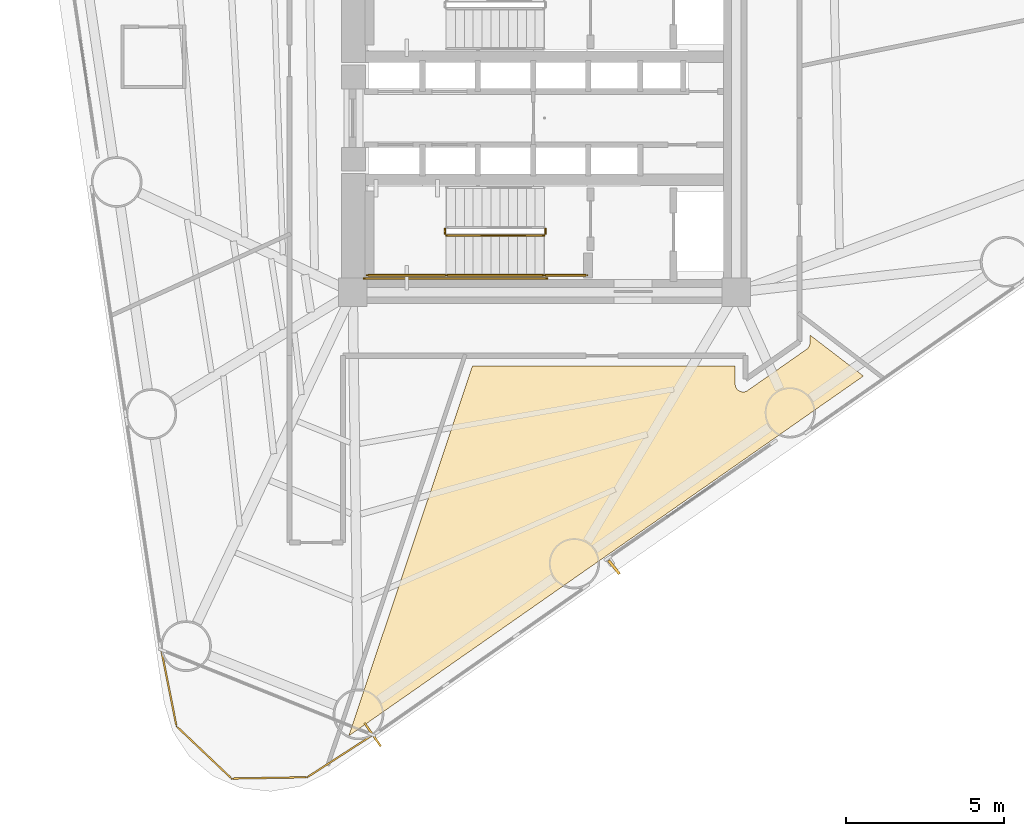
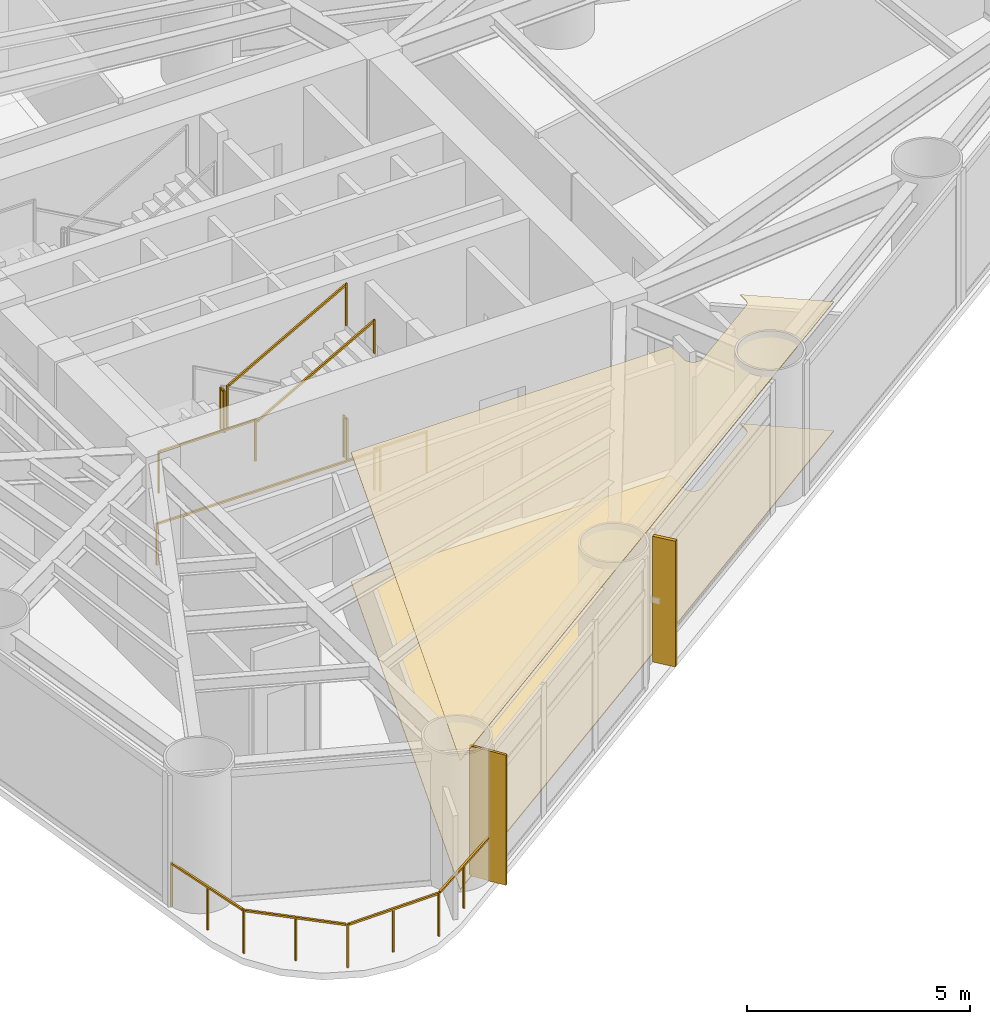
# One storey, part 8 of 11: 8 railings, 3 coverings, 1 shading device.
"""IFC4 building model written with IfcOpenShell, lengths in metres."""

from ifc_helpers import new_model, si_unit, direction, frame, origin, origin_2d, place, context, subcontext, project, spatial, polyline, rectangle, outline, extrude, source, transform, mapped, material, layer, layer_set, material_profile, profile_set, type_object, element, save


model = new_model("IFC4")

# Units and contexts
model_context = context("Model", 3, precision=1e-05, world=origin(), true_north=direction((0.0, 1.0)))
body_context = subcontext(model_context, "Body", "Model", "MODEL_VIEW")
ifc_project = project(units=[si_unit("LENGTHUNIT", "METRE"), si_unit("AREAUNIT", "SQUARE_METRE"), si_unit("VOLUMEUNIT", "CUBIC_METRE"), si_unit("PLANEANGLEUNIT", "RADIAN"), si_unit("MASSUNIT", "GRAM", prefix="KILO")], contexts=[model_context])

# Site, building, storey
site_placement = place(None, origin())
site = spatial("IfcSite", under=ifc_project, at=site_placement, CompositionType="ELEMENT")
building_placement = place(site_placement, origin())
building = spatial("IfcBuilding", under=site, at=building_placement, Name="Yunling Apex Tower", CompositionType="ELEMENT")
storey_placement = place(building_placement, frame((0.0, 0.0, 54.800048828125)))
storey = spatial("IfcBuildingStorey", under=building, at=storey_placement, Name="L14", CompositionType="ELEMENT", Elevation=54.800048828125)

# Coverings
ifc_material_1 = material(Name="Acoustic mineral fibre ceiling")
ifc_layer_1 = layer(ifc_material_1, 0.02490234375)
ifc_layer_set_1 = layer_set([ifc_layer_1], Name="Acoustic mineral fibre ceiling")
covering_type_1 = type_object("IfcCoveringType", Name="CV-CLG-1", PredefinedType="CEILING", material=ifc_layer_set_1)
covering_1_placement = place(storey_placement, frame((0.0, 0.0, 3.5400390625)))
element("IfcCovering", 1, at=covering_1_placement, inside=storey, type_object=covering_type_1, Name="CV-CL-SP-L14-R02", PredefinedType="CEILING", context=body_context, shape_type="SweptSolid", body=[
    extrude(outline(polyline([(10.067626953125, -8.14111328125), (-6.176025390625, -19.498291015625), (-2.27197265625, -7.830078125), (6.02001953125, -7.830078125), (6.02001953125, -8.396484375), (6.020751953125, -8.41748046875), (6.02490234375, -8.4423828125), (6.0302734375, -8.46435546875), (6.03955078125, -8.49072265625), (6.05126953125, -8.513916015625), (6.0615234375, -8.53076171875), (6.07666015625, -8.552001953125), (6.09716796875, -8.573486328125), (6.113037109375, -8.58740234375), (6.130615234375, -8.6005859375), (6.154541015625, -8.61474609375), (6.177978515625, -8.625244140625), (6.198974609375, -8.632568359375), (6.22314453125, -8.638427734375), (6.249267578125, -8.64208984375), (6.2744140625, -8.642822265625), (6.299072265625, -8.64111328125), (6.324951171875, -8.636962890625), (6.346435546875, -8.630615234375), (6.3701171875, -8.622314453125), (6.39208984375, -8.61083984375), (6.406982421875, -8.601806640625), (8.278076171875, -7.293701171875), (8.291259765625, -7.283203125), (8.30908203125, -7.26708984375), (8.325439453125, -7.248291015625), (8.34033203125, -7.22802734375), (8.352783203125, -7.2060546875), (8.36181640625, -7.186767578125), (8.370849609375, -7.160888671875), (8.375244140625, -7.14013671875), (8.379150390625, -7.1181640625), (8.3798828125, -7.095947265625), (8.3798828125, -6.84619140625), (10.067626953125, -8.14111328125)])), origin(), (0.0, 0.0, 1.0), 0.02490234375),
])
ifc_material_2 = material(Name="Polished granite stone", Category="masonry")
ifc_layer_2 = layer(ifc_material_2, 0.030029296875)
ifc_layer_set_2 = layer_set([ifc_layer_2], Name="Polished granite stone")
covering_type_2 = type_object("IfcCoveringType", Name="CV-FLR-1", PredefinedType="FLOORING", material=ifc_layer_set_2)
covering_2_placement = place(storey_placement, origin())
element("IfcCovering", 2, at=covering_2_placement, inside=storey, type_object=covering_type_2, Name="CV-FL-SP-L14-R02", PredefinedType="FLOORING", context=body_context, shape_type="SweptSolid", body=[
    extrude(outline(polyline([(10.067626953125, -8.14111328125), (-6.176025390625, -19.498291015625), (-2.27197265625, -7.830078125), (6.02001953125, -7.830078125), (6.02001953125, -8.396484375), (6.020751953125, -8.41748046875), (6.02490234375, -8.4423828125), (6.0302734375, -8.46435546875), (6.03955078125, -8.49072265625), (6.05126953125, -8.513916015625), (6.0615234375, -8.53076171875), (6.07666015625, -8.552001953125), (6.09716796875, -8.573486328125), (6.113037109375, -8.58740234375), (6.130615234375, -8.6005859375), (6.154541015625, -8.61474609375), (6.177978515625, -8.625244140625), (6.198974609375, -8.632568359375), (6.22314453125, -8.638427734375), (6.249267578125, -8.64208984375), (6.2744140625, -8.642822265625), (6.299072265625, -8.64111328125), (6.324951171875, -8.636962890625), (6.346435546875, -8.630615234375), (6.3701171875, -8.622314453125), (6.39208984375, -8.61083984375), (6.406982421875, -8.601806640625), (8.278076171875, -7.293701171875), (8.291259765625, -7.283203125), (8.30908203125, -7.26708984375), (8.325439453125, -7.248291015625), (8.34033203125, -7.22802734375), (8.352783203125, -7.2060546875), (8.36181640625, -7.186767578125), (8.370849609375, -7.160888671875), (8.375244140625, -7.14013671875), (8.379150390625, -7.1181640625), (8.3798828125, -7.095947265625), (8.3798828125, -6.84619140625), (10.067626953125, -8.14111328125)])), origin(), (0.0, 0.0, 1.0), 0.030029296875),
])

# Railings
ifc_material_3 = material(Name="Bronze anodised aluminium", Category="aluminium")
railing_type_1 = type_object("IfcRailingType", Name="RL-BAL-1200", PredefinedType="BALUSTRADE", material=ifc_material_3)
railing_1_placement = place(storey_placement, frame((-5.41552734375, -19.466796875, 0.0)))
element("IfcRailing", 3, at=railing_1_placement, inside=storey, type_object=railing_type_1, Name="RL-CRNSILL-L14-3", PredefinedType="BALUSTRADE", context=body_context, shape_type="SweptSolid", body=[
    extrude(rectangle(XDim=0.0439453125, YDim=0.0439453125, at=origin_2d()), origin(), (0.0, 0.0, 1.0), 1.199951171875),
    extrude(rectangle(XDim=0.0439453125, YDim=0.0439453125, at=origin_2d()), frame((-2.069091796875, -1.3349609375, 0.0)), (0.0, 0.0, 1.0), 1.199951171875),
    extrude(rectangle(XDim=0.050048828125, YDim=0.050048828125, at=origin_2d()), frame((-0.0322265625, -0.020751953125, 1.1748046875), z_axis=(-0.840284992051, -0.542144936464, 0.0), x_axis=(0.542144936464, -0.840284992051, 0.0)), (0.0, 0.0, 1.0), 2.3857421875),
    extrude(rectangle(XDim=0.0439453125, YDim=0.0439453125, at=origin_2d()), frame((-1.03466796875, -0.66748046875, 0.0)), (0.0, 0.0, 1.0), 1.14599609375),
    extrude(rectangle(XDim=0.0439453125, YDim=0.0439453125, at=origin_2d()), frame((-4.456787109375, -1.3779296875, 0.0)), (0.0, 0.0, 1.0), 1.199951171875),
    extrude(rectangle(XDim=0.050048828125, YDim=0.050048828125, at=origin_2d()), frame((-2.107421875, -1.335693359375, 1.1748046875), z_axis=(-0.999838112931, -0.017992996715, 0.0), x_axis=(0.017992996715, -0.999838112931, 0.0)), (0.0, 0.0, 1.0), 2.3115234375),
    extrude(rectangle(XDim=0.0439453125, YDim=0.0439453125, at=origin_2d()), frame((-3.262939453125, -1.3564453125, 0.0)), (0.0, 0.0, 1.0), 1.14599609375),
    extrude(rectangle(XDim=0.0439453125, YDim=0.0439453125, at=origin_2d()), frame((-6.1943359375, 0.271728515625, 0.0)), (0.0, 0.0, 1.0), 1.199951171875),
    extrude(rectangle(XDim=0.050048828125, YDim=0.050048828125, at=origin_2d()), frame((-4.484619140625, -1.3515625, 1.1748046875), z_axis=(-0.725210560755, 0.688527154562, 0.0), x_axis=(-0.688527154562, -0.725210560755, 0.0)), (0.0, 0.0, 1.0), 2.3193359375),
    extrude(rectangle(XDim=0.0439453125, YDim=0.0439453125, at=origin_2d()), frame((-5.32568359375, -0.55322265625, 0.0)), (0.0, 0.0, 1.0), 1.14599609375),
    extrude(rectangle(XDim=0.0439453125, YDim=0.0439453125, at=origin_2d()), frame((-6.6767578125, 2.685302734375, 0.0)), (0.0, 0.0, 1.0), 1.199951171875),
    extrude(rectangle(XDim=0.050048828125, YDim=0.050048828125, at=origin_2d()), frame((-6.201904296875, 0.309326171875, 1.1748046875), z_axis=(-0.196001682493, 0.980603559274, 0.0), x_axis=(-0.980603559274, -0.196001682493, 0.0)), (0.0, 0.0, 1.0), 2.384765625),
    extrude(rectangle(XDim=0.0439453125, YDim=0.0439453125, at=origin_2d()), frame((-6.435546875, 1.478515625, 0.0)), (0.0, 0.0, 1.0), 1.14599609375),
])
ifc_material_4 = material(Name="Steel Q355B", Category="steel")
railing_type_2 = type_object("IfcRailingType", Name="RL-GRD-1150", PredefinedType="GUARDRAIL", material=ifc_material_4)
railing_2_placement = place(storey_placement, frame((-3.139892578125, -3.5, 1.875)))
element("IfcRailing", 4, at=railing_2_placement, inside=storey, type_object=railing_type_2, Name="L14 ST-2 stair guard 2", PredefinedType="GUARDRAIL", context=body_context, shape_type="SweptSolid", body=[
    extrude(rectangle(XDim=0.0439453125, YDim=0.0439453125, at=origin_2d()), origin(), (0.0, 0.0, 1.0), 1.14990234375),
    extrude(rectangle(XDim=0.0439453125, YDim=0.0439453125, at=origin_2d()), frame((0.0, -0.14990234375, 0.0)), (0.0, 0.0, 1.0), 1.14990234375),
    extrude(rectangle(XDim=0.050048828125, YDim=0.050048828125, at=origin_2d()), frame((0.0, -0.038330078125, 1.125), z_axis=(0.0, -1.0, 0.0), x_axis=(1.0, 0.0, 0.0)), (0.0, 0.0, 1.0), 0.0732421875),
])
railing_3_placement = place(storey_placement, frame((-3.090087890625, -4.9599609375, 1.875)))
element("IfcRailing", 5, at=railing_3_placement, inside=storey, type_object=railing_type_2, Name="L14 ST-2 stair guard 3", PredefinedType="GUARDRAIL", context=body_context, shape_type="SweptSolid", body=[
    extrude(rectangle(XDim=0.0439453125, YDim=0.0439453125, at=origin_2d()), origin(), (0.0, 0.0, 1.0), 1.14990234375),
    extrude(rectangle(XDim=0.0439453125, YDim=0.0439453125, at=origin_2d()), frame((-2.510009765625, 0.0, 0.0)), (0.0, 0.0, 1.0), 1.14990234375),
    extrude(rectangle(XDim=0.050048828125, YDim=0.050048828125, at=origin_2d()), frame((-0.038330078125, 0.0, 1.125), z_axis=(-1.0, 0.0, 0.0), x_axis=(0.0, -1.0, 0.0)), (0.0, 0.0, 1.0), 2.433349609375),
])
railing_4_placement = place(storey_placement, frame((-3.090087890625, -3.699951171875, 2.03125)))
element("IfcRailing", 6, at=railing_4_placement, inside=storey, type_object=railing_type_2, Name="L14 ST-2 stair guard 4", PredefinedType="GUARDRAIL", context=body_context, shape_type="SweptSolid", body=[
    extrude(rectangle(XDim=0.0439453125, YDim=0.0439453125, at=origin_2d()), origin(), (0.0, 0.0, 1.0), 1.14990234375),
    extrude(rectangle(XDim=0.0439453125, YDim=0.0439453125, at=origin_2d()), frame((3.080078125, 0.0, 1.71875)), (0.0, 0.0, 1.0), 1.14990234375),
    extrude(rectangle(XDim=0.050048828125, YDim=0.050048828125, at=origin_2d()), frame((0.033447265625, 0.0, 1.1435546875), z_axis=(0.873241540666, 0.0, 0.487287606713), x_axis=(0.0, 1.0, 0.0)), (0.0, 0.0, 1.0), 3.450439453125),
])
railing_5_placement = place(storey_placement, frame((0.0400390625, -3.5, 0.0)))
element("IfcRailing", 7, at=railing_5_placement, inside=storey, type_object=railing_type_2, Name="L14 ST-2 stair guard 5", PredefinedType="GUARDRAIL", context=body_context, shape_type="SweptSolid", body=[
    extrude(rectangle(XDim=0.0439453125, YDim=0.0439453125, at=origin_2d()), origin(), (0.0, 0.0, 1.0), 1.14990234375),
    extrude(rectangle(XDim=0.0439453125, YDim=0.0439453125, at=origin_2d()), frame((0.0, -0.14990234375, 0.0)), (0.0, 0.0, 1.0), 1.14990234375),
    extrude(rectangle(XDim=0.050048828125, YDim=0.050048828125, at=origin_2d()), frame((0.0, -0.038330078125, 1.125), z_axis=(0.0, -1.0, 0.0), x_axis=(1.0, 0.0, 0.0)), (0.0, 0.0, 1.0), 0.0732421875),
])
railing_6_placement = place(storey_placement, frame((1.35009765625, -4.9599609375, 0.0)))
element("IfcRailing", 8, at=railing_6_placement, inside=storey, type_object=railing_type_2, Name="L14 ST-2 stair guard 6", PredefinedType="GUARDRAIL", context=body_context, shape_type="SweptSolid", body=[
    extrude(rectangle(XDim=0.0439453125, YDim=0.0439453125, at=origin_2d()), origin(), (0.0, 0.0, 1.0), 1.14990234375),
    extrude(rectangle(XDim=0.0439453125, YDim=0.0439453125, at=origin_2d()), frame((-1.360107421875, 0.0, 0.0)), (0.0, 0.0, 1.0), 1.14990234375),
    extrude(rectangle(XDim=0.050048828125, YDim=0.050048828125, at=origin_2d()), frame((-0.038330078125, 0.0, 1.125), z_axis=(-1.0, 0.0, 0.0), x_axis=(0.0, -1.0, 0.0)), (0.0, 0.0, 1.0), 1.283447265625),
])
railing_7_placement = place(storey_placement, frame((0.090087890625, -5.06005859375, 0.0)))
element("IfcRailing", 9, at=railing_7_placement, inside=storey, type_object=railing_type_2, Name="L14 ST-2 stair guard 7", PredefinedType="GUARDRAIL", context=body_context, shape_type="SweptSolid", body=[
    extrude(rectangle(XDim=0.0439453125, YDim=0.0439453125, at=origin_2d()), origin(), (0.0, 0.0, 1.0), 1.14990234375),
    extrude(rectangle(XDim=0.0439453125, YDim=0.0439453125, at=origin_2d()), frame((-5.7900390625, 0.0, 0.0)), (0.0, 0.0, 1.0), 1.14990234375),
    extrude(rectangle(XDim=0.050048828125, YDim=0.050048828125, at=origin_2d()), frame((-0.038330078125, 0.0, 1.125), z_axis=(-1.0, 0.0, 0.0), x_axis=(0.0, -1.0, 0.0)), (0.0, 0.0, 1.0), 5.71337890625),
])
ifc_material_5 = material(Name="Silver anodised aluminium", Category="aluminium")
railing_type_3 = type_object("IfcRailingType", Name="RL-HND-900", PredefinedType="HANDRAIL", material=ifc_material_5)
railing_8_placement = place(storey_placement, frame((-3.090087890625, -4.9599609375, 2.03125)))
element("IfcRailing", 10, at=railing_8_placement, inside=storey, type_object=railing_type_3, Name="L14 ST-2 stair handrail 2", PredefinedType="HANDRAIL", context=body_context, shape_type="SweptSolid", body=[
    extrude(rectangle(XDim=0.0439453125, YDim=0.0439453125, at=origin_2d()), origin(), (0.0, 0.0, 1.0), 0.919921875),
    extrude(rectangle(XDim=0.0439453125, YDim=0.0439453125, at=origin_2d()), frame((3.080078125, 0.0, 1.71875)), (0.0, 0.0, 1.0), 0.919921875),
    extrude(rectangle(XDim=0.050048828125, YDim=0.050048828125, at=origin_2d()), frame((0.033447265625, 0.0, 0.91357421875), z_axis=(0.873241540666, 0.0, 0.487287606713), x_axis=(0.0, 1.0, 0.0)), (0.0, 0.0, 1.0), 3.450439453125),
])

# Covering
ifc_layer_3 = layer(ifc_material_3, 0.0400390625)
ifc_layer_set_3 = layer_set([ifc_layer_3], Name="Bronze anodised aluminium")
covering_type_3 = type_object("IfcCoveringType", Name="CV-CLD-1", PredefinedType="CLADDING", material=ifc_layer_set_3)
shared_shape_1 = source(origin(), body_context, "Body", "SweptSolid", [
    extrude(rectangle(XDim=0.06005859375, YDim=0.89990234375, at=origin_2d()), origin(), (0.0, 0.0, 1.0), 3.56494140625),
])
covering_3_placement = place(storey_placement, frame((-5.42138671875, -19.45849609375, 0.0), z_axis=(0.0, 0.0, 1.0), x_axis=(0.819552276527, 0.573004420611, 0.0)))
element("IfcCovering", 11, at=covering_3_placement, inside=storey, type_object=covering_type_3, Name="CV-CLD-L14", PredefinedType="CLADDING", context=body_context, shape_type="MappedRepresentation", body=[
    mapped(shared_shape_1, transform((0.0, 0.0, 0.0), scale=1.0)),
])

# Shading device
ifc_material_profile = material_profile(ifc_material_3, rectangle(XDim=0.0849609375, YDim=0.550048828125, at=origin_2d()))
ifc_profile_set = profile_set([ifc_material_profile], Name="Bronze anodised aluminium")
shading_device_type = type_object("IfcShadingDeviceType", Name="FN-BRZ-3", PredefinedType="USERDEFINED", material=ifc_profile_set)
shared_shape_2 = source(origin(), body_context, "Body", "SweptSolid", [
    extrude(rectangle(XDim=0.0849609375, YDim=0.550048828125, at=origin_2d()), origin(), (0.0, 0.0, 1.0), 3.445068359375),
])
shading_device_placement = place(storey_placement, frame((2.197509765625, -14.17431640625, 0.06005859375), z_axis=(0.0, 0.0, 1.0), x_axis=(0.780321270022, 0.625378857614, 0.0)))
element("IfcShadingDevice", 12, at=shading_device_placement, inside=storey, type_object=shading_device_type, Name="CW-L14-F1-B2-FIN-01", ObjectType="FIN", PredefinedType="USERDEFINED", context=body_context, shape_type="MappedRepresentation", body=[
    mapped(shared_shape_2, transform((0.0, 0.0, 0.0), scale=1.0)),
])

save(model, "model.ifc")
